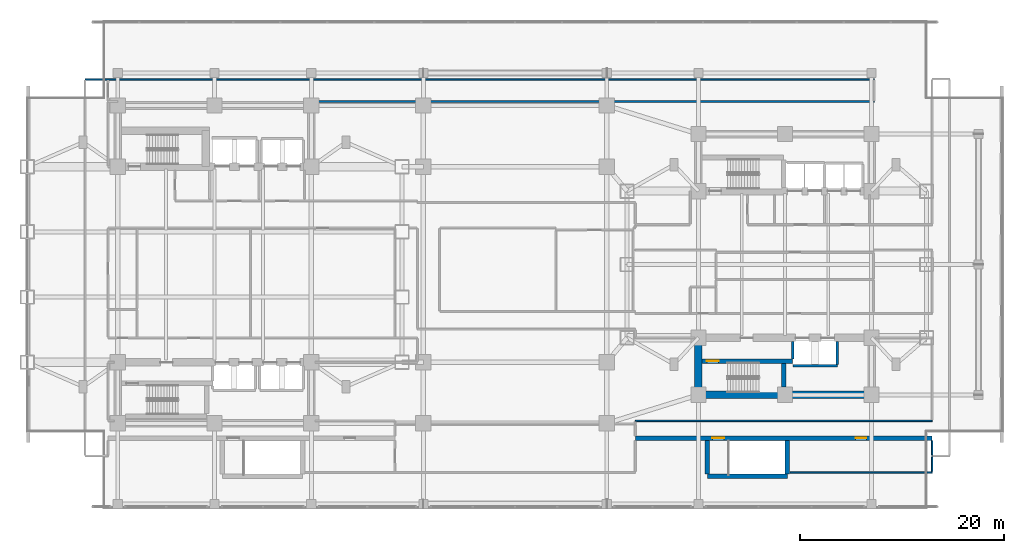
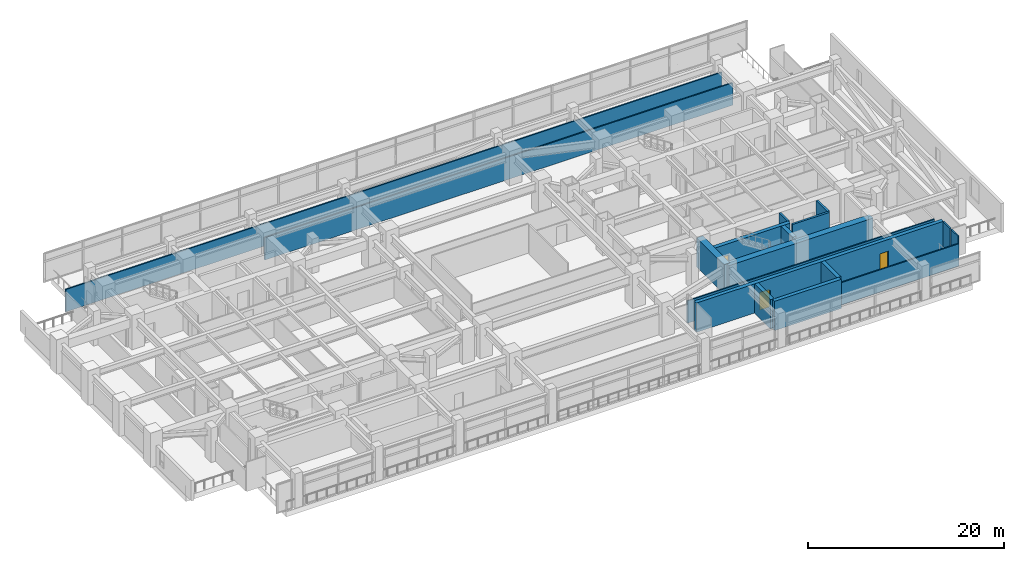
# One storey, part 18 of 27: 17 walls, 3 doors, 3 openings.
"""IFC4 building model written with IfcOpenShell, lengths in metres."""

from ifc_helpers import new_model, si_unit, direction, frame, frame_2d, origin, place, context, subcontext, project, spatial, rectangle, extrude, material, layer, layer_set, type_object, element, fill, save


model = new_model("IFC4")

# Units and contexts
model_context = context("Model", 3, precision=1e-05, world=origin(), true_north=direction((0.0, 1.0)))
body_context = subcontext(model_context, "Body", "Model", "MODEL_VIEW")
ifc_project = project(units=[si_unit("LENGTHUNIT", "METRE"), si_unit("AREAUNIT", "SQUARE_METRE"), si_unit("VOLUMEUNIT", "CUBIC_METRE"), si_unit("PLANEANGLEUNIT", "RADIAN"), si_unit("MASSUNIT", "GRAM", prefix="KILO")], contexts=[model_context])

# Site, building, storey
site_placement = place(None, origin())
site = spatial("IfcSite", under=ifc_project, at=site_placement, CompositionType="ELEMENT")
building_placement = place(site_placement, origin())
building = spatial("IfcBuilding", under=site, at=building_placement, Name="Mirazonda Arch Towers", CompositionType="ELEMENT")
storey_placement = place(building_placement, frame((0.0, 0.0, 18.10009765625)))
storey = spatial("IfcBuildingStorey", under=building, at=storey_placement, Name="L04", CompositionType="ELEMENT", Elevation=18.10009765625)

# Wall
ifc_material_1 = material(Name="Concrete C50/60", Category="concrete")
ifc_layer_1 = layer(ifc_material_1, 0.449951171875, Name="WALL-CORE-450")
ifc_layer_set_1 = layer_set([ifc_layer_1], Name="Concrete C50/60")
wall_type_1 = type_object("IfcWallType", Name="WALL-CORE-450", PredefinedType="SHEAR", material=ifc_layer_set_1)
wall_1_placement = place(storey_placement, frame((68.8701171875, 7.219970703125, 0.0), z_axis=(0.0, 0.0, 1.0), x_axis=(1.0, 0.0, 0.0)))
element("IfcWall", 1, at=wall_1_placement, inside=storey, type_object=wall_type_1, Name="L04 Stair Core Shear Wall 002", PredefinedType="SHEAR", context=body_context, shape_type="SweptSolid", body=[
    extrude(rectangle(XDim=7.85986328125, YDim=0.449951171875, at=frame_2d((3.929931640625, 0.0))), origin(), (0.0, 0.0, 1.0), 3.64990234375),
])

# Wall, openings, doors
wall_2_placement = place(storey_placement, frame((61.800048828125, 10.949951171875, 0.0), z_axis=(0.0, 0.0, 1.0), x_axis=(1.0, 0.0, 0.0)))
wall_2 = element("IfcWall", 2, at=wall_2_placement, inside=storey, type_object=wall_type_1, Name="L04 Stair Core Shear Wall 008", PredefinedType="SHEAR", context=body_context, shape_type="SweptSolid", body=[
    extrude(rectangle(XDim=29.14990234375, YDim=0.449951171875, at=frame_2d((14.574951171875, 0.0))), origin(), (0.0, 0.0, 1.0), 3.64990234375),
])
opening_1_placement = place(wall_2_placement, frame((7.570068359375, 0.0, 0.0)))
opening_1 = element("IfcOpeningElement", 3, at=opening_1_placement, cuts=wall_2, Name="Opening DR-135", PredefinedType="OPENING", context=body_context, shape_type="SweptSolid", body=[
    extrude(rectangle(XDim=1.14990234375, YDim=2.199951171875, at=frame_2d((0.574951171875, 1.10009765625))), frame((0.0, 0.23486328125, 0.0), z_axis=(0.0, -1.0, 0.0), x_axis=(1.0, 0.0, 0.0)), (0.0, 0.0, 1.0), 0.469970703125),
])
opening_2_placement = place(wall_2_placement, frame((21.6298828125, 0.0, 0.0)))
opening_2 = element("IfcOpeningElement", 4, at=opening_2_placement, cuts=wall_2, Name="Opening DR-121", PredefinedType="OPENING", context=body_context, shape_type="SweptSolid", body=[
    extrude(rectangle(XDim=1.050048828125, YDim=2.199951171875, at=frame_2d((0.52490234375, 1.10009765625))), frame((0.0, 0.23486328125, 0.0), z_axis=(0.0, -1.0, 0.0), x_axis=(1.0, 0.0, 0.0)), (0.0, 0.0, 1.0), 0.469970703125),
])
ifc_material_2 = material(Name="Architectural Brushed Steel S355", Category="steel")
door_type_1 = type_object("IfcDoorType", Name="DOOR-STAIR-FD90-1150", OperationType="NOTDEFINED", PredefinedType="DOOR", material=ifc_material_2)
door_1_placement = place(opening_1_placement, origin())
door_1 = element("IfcDoor", 5, at=door_1_placement, inside=storey, type_object=door_type_1, Name="L04 Protected Podium Stair East Door", OperationType="SINGLE_SWING_LEFT", OverallHeight=2.199951171875, OverallWidth=1.14990234375, PredefinedType="DOOR", context=body_context, shape_type="SweptSolid", body=[
    extrude(rectangle(XDim=1.14990234375, YDim=2.199951171875, at=frame_2d((0.574951171875, 1.10009765625))), frame((0.0, 0.02490234375, 0.0), z_axis=(0.0, -1.0, 0.0), x_axis=(1.0, 0.0, 0.0)), (0.0, 0.0, 1.0), 0.050048828125),
])
fill(opening_1, door_1)
door_type_2 = type_object("IfcDoorType", Name="DOOR-SUITE-FD60-1050", OperationType="NOTDEFINED", PredefinedType="DOOR", material=ifc_material_2)
door_2_placement = place(opening_2_placement, origin())
door_2 = element("IfcDoor", 6, at=door_2_placement, inside=storey, type_object=door_type_2, Name="L04 L04 South-East Suite Door", OperationType="SINGLE_SWING_LEFT", OverallHeight=2.199951171875, OverallWidth=1.050048828125, PredefinedType="DOOR", context=body_context, shape_type="SweptSolid", body=[
    extrude(rectangle(XDim=1.050048828125, YDim=2.199951171875, at=frame_2d((0.52490234375, 1.10009765625))), frame((0.0, 0.02490234375, 0.0), z_axis=(0.0, -1.0, 0.0), x_axis=(1.0, 0.0, 0.0)), (0.0, 0.0, 1.0), 0.050048828125),
])
fill(opening_2, door_2)

# Wall, opening, door
wall_3_placement = place(storey_placement, frame((68.3701171875, 18.5, 0.0), z_axis=(0.0, 0.0, 1.0), x_axis=(1.0, 0.0, 0.0)))
wall_3 = element("IfcWall", 7, at=wall_3_placement, inside=storey, type_object=wall_type_1, Name="L04 Stair Core Shear Wall 020", PredefinedType="SHEAR", context=body_context, shape_type="SweptSolid", body=[
    extrude(rectangle(XDim=8.849853515625, YDim=0.449951171875, at=frame_2d((4.4248046875, 0.0))), origin(), (0.0, 0.0, 1.0), 3.64990234375),
])
opening_3_placement = place(wall_3_placement, frame((0.469970703125, 0.0, 0.0)))
opening_3 = element("IfcOpeningElement", 8, at=opening_3_placement, cuts=wall_3, Name="Opening DR-135", PredefinedType="OPENING", context=body_context, shape_type="SweptSolid", body=[
    extrude(rectangle(XDim=1.14990234375, YDim=2.199951171875, at=frame_2d((0.574951171875, 1.10009765625))), frame((0.0, 0.23486328125, 0.0), z_axis=(0.0, -1.0, 0.0), x_axis=(1.0, 0.0, 0.0)), (0.0, 0.0, 1.0), 0.469970703125),
])
door_3_placement = place(opening_3_placement, origin())
door_3 = element("IfcDoor", 9, at=door_3_placement, inside=storey, type_object=door_type_1, Name="L04 East Protected Stair South Door", OperationType="SINGLE_SWING_RIGHT", OverallHeight=2.199951171875, OverallWidth=1.14990234375, PredefinedType="DOOR", context=body_context, shape_type="SweptSolid", body=[
    extrude(rectangle(XDim=1.14990234375, YDim=2.199951171875, at=frame_2d((0.574951171875, 1.10009765625))), frame((0.0, 0.02490234375, 0.0), z_axis=(0.0, -1.0, 0.0), x_axis=(1.0, 0.0, 0.0)), (0.0, 0.0, 1.0), 0.050048828125),
])
fill(opening_3, door_3)

# Walls
wall_4_placement = place(storey_placement, frame((68.8701171875, 7.455078125, 0.0), z_axis=(0.0, 0.0, 1.0), x_axis=(0.0, 1.0, 0.0)))
element("IfcWall", 10, at=wall_4_placement, inside=storey, type_object=wall_type_1, Name="L04 Stair Core Shear Wall 093", PredefinedType="SHEAR", context=body_context, shape_type="SweptSolid", body=[
    extrude(rectangle(XDim=3.260009765625, YDim=0.449951171875, at=frame_2d((1.6298828125, 0.0))), origin(), (0.0, 0.0, 1.0), 3.64990234375),
])
wall_5_placement = place(storey_placement, frame((76.360107421875, 15.965087890625, 0.0), z_axis=(0.0, 0.0, 1.0), x_axis=(0.0, 1.0, 0.0)))
element("IfcWall", 11, at=wall_5_placement, inside=storey, type_object=wall_type_1, Name="L04 Stair Core Shear Wall 099", PredefinedType="SHEAR", context=body_context, shape_type="SweptSolid", body=[
    extrude(rectangle(XDim=2.2998046875, YDim=0.449951171875, at=frame_2d((1.14990234375, 0.0))), origin(), (0.0, 0.0, 1.0), 3.64990234375),
])
wall_6_placement = place(storey_placement, frame((76.72998046875, 7.455078125, 0.0), z_axis=(0.0, 0.0, 1.0), x_axis=(0.0, 1.0, 0.0)))
element("IfcWall", 12, at=wall_6_placement, inside=storey, type_object=wall_type_1, Name="L04 Stair Core Shear Wall 101", PredefinedType="SHEAR", context=body_context, shape_type="SweptSolid", body=[
    extrude(rectangle(XDim=3.260009765625, YDim=0.449951171875, at=frame_2d((1.6298828125, 0.0))), origin(), (0.0, 0.0, 1.0), 3.64990234375),
])
ifc_material_3 = material(Name="Concrete C60/75", Category="concrete")
ifc_layer_2 = layer(ifc_material_3, 0.75, Name="WALL-CORE-750")
ifc_layer_set_2 = layer_set([ifc_layer_2], Name="Concrete C60/75")
wall_type_2 = type_object("IfcWallType", Name="WALL-CORE-750", PredefinedType="SHEAR", material=ifc_layer_set_2)
wall_7_placement = place(storey_placement, frame((68.0, 15.199951171875, 0.0), z_axis=(0.0, 0.0, 1.0), x_axis=(1.0, 0.0, 0.0)))
element("IfcWall", 13, at=wall_7_placement, inside=storey, type_object=wall_type_2, Name="L04 T2S-S Core Shear Wall", PredefinedType="SHEAR", context=body_context, shape_type="SweptSolid", body=[
    extrude(rectangle(XDim=17.0, YDim=0.75, at=frame_2d((8.5, 0.0))), origin(), (0.0, 0.0, 1.0), 3.64990234375),
])
wall_8_placement = place(storey_placement, frame((68.0, 15.199951171875, 0.0), z_axis=(0.0, 0.0, 1.0), x_axis=(0.0, 1.0, 0.0)))
element("IfcWall", 14, at=wall_8_placement, inside=storey, type_object=wall_type_2, Name="L04 T2S-W Core Shear Wall", PredefinedType="SHEAR", context=body_context, shape_type="SweptSolid", body=[
    extrude(rectangle(XDim=5.60009765625, YDim=0.75, at=frame_2d((2.800048828125, 0.0))), origin(), (0.0, 0.0, 1.0), 3.64990234375),
])
ifc_material_4 = material(Name="Fire-Rated Gypsum Stud Partition")
ifc_layer_3 = layer(ifc_material_4, 0.14990234375, Name="WALL-PART-CORR-150")
ifc_layer_set_3 = layer_set([ifc_layer_3], Name="Fire-Rated Gypsum Stud Partition")
wall_type_3 = type_object("IfcWallType", Name="WALL-PART-CORR-150", PredefinedType="PARTITIONING", material=ifc_layer_set_3)
wall_9_placement = place(storey_placement, frame((77.0, 7.60009765625, 0.0), z_axis=(0.0, 0.0, 1.0), x_axis=(1.0, 0.0, 0.0)))
element("IfcWall", 15, at=wall_9_placement, inside=storey, type_object=wall_type_3, Name="L04 Interior Partition 004", PredefinedType="PARTITIONING", context=body_context, shape_type="SweptSolid", body=[
    extrude(rectangle(XDim=13.949951171875, YDim=0.14990234375, at=frame_2d((6.97509765625, 0.0))), origin(), (0.0, 0.0, 1.0), 2.785888671875),
])
wall_10_placement = place(storey_placement, frame((61.800048828125, 12.64990234375, 0.0), z_axis=(0.0, 0.0, 1.0), x_axis=(1.0, 0.0, 0.0)))
element("IfcWall", 16, at=wall_10_placement, inside=storey, type_object=wall_type_3, Name="L04 Interior Partition 012", PredefinedType="PARTITIONING", context=body_context, shape_type="SweptSolid", body=[
    extrude(rectangle(XDim=29.14990234375, YDim=0.14990234375, at=frame_2d((14.574951171875, 0.0))), origin(), (0.0, 0.0, 1.0), 2.785888671875),
])
wall_11_placement = place(storey_placement, frame((30.02001953125, 44.0, 0.0), z_axis=(0.0, 0.0, 1.0), x_axis=(1.0, 0.0, 0.0)))
element("IfcWall", 17, at=wall_11_placement, inside=storey, type_object=wall_type_3, Name="L04 Interior Partition 048", PredefinedType="PARTITIONING", context=body_context, shape_type="SweptSolid", body=[
    extrude(rectangle(XDim=55.22998046875, YDim=0.14990234375, at=frame_2d((27.614990234375, 0.0))), origin(), (0.0, 0.0, 1.0), 2.785888671875),
])
wall_12_placement = place(storey_placement, frame((7.800048828125, 46.175048828125, 0.0), z_axis=(0.0, 0.0, 1.0), x_axis=(1.0, 0.0, 0.0)))
element("IfcWall", 18, at=wall_12_placement, inside=storey, type_object=wall_type_3, Name="L04 Interior Partition 049", PredefinedType="PARTITIONING", context=body_context, shape_type="SweptSolid", body=[
    extrude(rectangle(XDim=77.449951171875, YDim=0.14990234375, at=frame_2d((38.72509765625, 0.0))), origin(), (0.0, 0.0, 1.0), 2.785888671875),
])
wall_13_placement = place(storey_placement, frame((90.949951171875, 7.68505859375, 0.0), z_axis=(0.0, 0.0, 1.0), x_axis=(0.0, 1.0, 0.0)))
element("IfcWall", 19, at=wall_13_placement, inside=storey, type_object=wall_type_3, Name="L04 Interior Partition 111", PredefinedType="PARTITIONING", context=body_context, shape_type="SweptSolid", body=[
    extrude(rectangle(XDim=1.429931640625, YDim=0.14990234375, at=frame_2d((0.71484375, 0.0))), origin(), (0.0, 0.0, 1.0), 3.64990234375),
])
wall_14_placement = place(storey_placement, frame((90.949951171875, 9.284912109375, 0.0), z_axis=(0.0, 0.0, 1.0), x_axis=(0.0, 1.0, 0.0)))
element("IfcWall", 20, at=wall_14_placement, inside=storey, type_object=wall_type_3, Name="L04 Interior Partition 112", PredefinedType="PARTITIONING", context=body_context, shape_type="SweptSolid", body=[
    extrude(rectangle(XDim=1.43017578125, YDim=0.14990234375, at=frame_2d((0.715087890625, 0.0))), origin(), (0.0, 0.0, 1.0), 3.64990234375),
])
ifc_material_5 = material(Name="Concrete C40/50", Category="concrete")
ifc_layer_4 = layer(ifc_material_5, 0.25, Name="WALL-SHAFT-250")
ifc_layer_set_4 = layer_set([ifc_layer_4], Name="Concrete C40/50")
wall_type_4 = type_object("IfcWallType", Name="WALL-SHAFT-250", PredefinedType="SOLIDWALL", material=ifc_layer_set_4)
wall_15_placement = place(storey_placement, frame((77.300048828125, 18.050048828125, 0.0), z_axis=(0.0, 0.0, 1.0), x_axis=(1.0, 0.0, 0.0)))
element("IfcWall", 21, at=wall_15_placement, inside=storey, type_object=wall_type_4, Name="L04 Interior Partition 017", PredefinedType="SOLIDWALL", context=body_context, shape_type="SweptSolid", body=[
    extrude(rectangle(XDim=4.349853515625, YDim=0.25, at=frame_2d((2.1748046875, 0.0))), origin(), (0.0, 0.0, 1.0), 3.64990234375),
])
wall_16_placement = place(storey_placement, frame((77.260009765625, 18.735107421875, 0.0), z_axis=(0.0, 0.0, 1.0), x_axis=(0.0, 1.0, 0.0)))
element("IfcWall", 22, at=wall_16_placement, inside=storey, type_object=wall_type_4, Name="L04 Interior Partition 102", PredefinedType="SOLIDWALL", context=body_context, shape_type="SweptSolid", body=[
    extrude(rectangle(XDim=1.69482421875, YDim=0.25, at=frame_2d((0.847412109375, 0.0))), origin(), (0.0, 0.0, 1.0), 3.64990234375),
])
wall_17_placement = place(storey_placement, frame((81.64990234375, 18.18505859375, 0.0), z_axis=(0.0, 0.0, 1.0), x_axis=(0.0, 1.0, 0.0)))
element("IfcWall", 23, at=wall_17_placement, inside=storey, type_object=wall_type_4, Name="L04 Interior Partition 105", PredefinedType="SOLIDWALL", context=body_context, shape_type="SweptSolid", body=[
    extrude(rectangle(XDim=2.244873046875, YDim=0.25, at=frame_2d((1.12255859375, 0.0))), origin(), (0.0, 0.0, 1.0), 3.64990234375),
])

save(model, "model.ifc")
